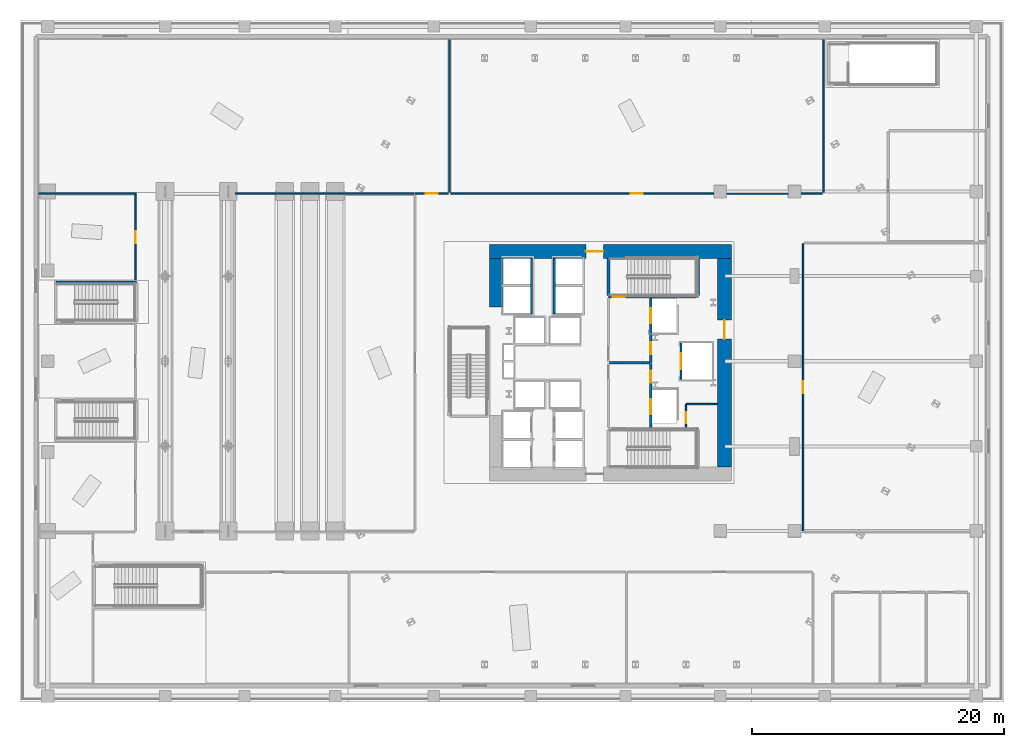
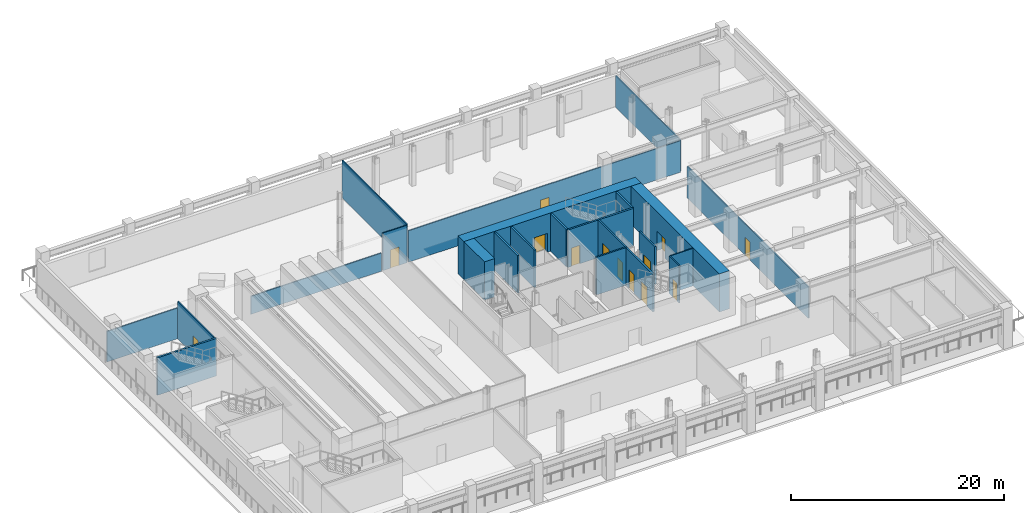
# One storey, part 9 of 24: 23 walls, 13 doors, 13 openings.
"""IFC4 building model written with IfcOpenShell, lengths in metres."""

from ifc_helpers import new_model, si_unit, direction, frame, frame_2d, origin, place, context, subcontext, project, spatial, rectangle, extrude, material, layer, layer_set, type_object, element, fill, save


model = new_model("IFC4")

# Units and contexts
model_context = context("Model", 3, precision=1e-05, world=origin(), true_north=direction((0.0, 1.0)))
body_context = subcontext(model_context, "Body", "Model", "MODEL_VIEW")
ifc_project = project(units=[si_unit("LENGTHUNIT", "METRE"), si_unit("AREAUNIT", "SQUARE_METRE"), si_unit("VOLUMEUNIT", "CUBIC_METRE"), si_unit("PLANEANGLEUNIT", "RADIAN"), si_unit("MASSUNIT", "GRAM", prefix="KILO")], contexts=[model_context])

# Site, building, storey
site_placement = place(None, origin())
site = spatial("IfcSite", under=ifc_project, at=site_placement, CompositionType="ELEMENT")
building_placement = place(site_placement, origin())
building = spatial("IfcBuilding", under=site, at=building_placement, Name="Valkerne Bourse Tower", CompositionType="ELEMENT")
storey_placement = place(building_placement, frame((0.0, 0.0, 19.39990234375)))
storey = spatial("IfcBuildingStorey", under=building, at=storey_placement, Name="L04", CompositionType="ELEMENT", Elevation=19.39990234375)

# Wall, opening, door
ifc_material_1 = material(Name="Concrete C70/85", Category="concrete")
ifc_layer_1 = layer(ifc_material_1, 1.10009765625)
ifc_layer_set_1 = layer_set([ifc_layer_1], Name="Concrete C70/85")
wall_type_1 = type_object("IfcWallType", Name="W-CORE-1100", PredefinedType="SHEAR", material=ifc_layer_set_1)
wall_1_placement = place(storey_placement, frame((37.199951171875, 35.699951171875, 0.0), z_axis=(0.0, 0.0, 1.0), x_axis=(1.0, 0.0, 0.0)))
wall_1 = element("IfcWall", 1, at=wall_1_placement, inside=storey, type_object=wall_type_1, Name="L04 Core Shear Wall NORTH", PredefinedType="SHEAR", context=body_context, shape_type="SweptSolid", body=[
    extrude(rectangle(XDim=19.199951171875, YDim=1.10009765625, at=frame_2d((9.60009765625, 0.0))), origin(), (0.0, 0.0, 1.0), 4.380126953125),
])
opening_1_placement = place(wall_1_placement, frame((7.64990234375, 0.0, 0.0)))
opening_1 = element("IfcOpeningElement", 2, at=opening_1_placement, cuts=wall_1, Name="Opening D-PL-1400", PredefinedType="OPENING", context=body_context, shape_type="SweptSolid", body=[
    extrude(rectangle(XDim=1.39990234375, YDim=2.14990234375, at=frame_2d((0.699951171875, 1.074951171875))), frame((0.0, 0.56005859375, 0.0), z_axis=(0.0, -1.0, 0.0), x_axis=(1.0, 0.0, 0.0)), (0.0, 0.0, 1.0), 1.1201171875),
])
ifc_material_2 = material(Name="Galvanised Painted Steel", Category="steel")
door_type_1 = type_object("IfcDoorType", Name="DR-PLT-1400", OperationType="DOUBLE_DOOR_SINGLE_SWING", PredefinedType="DOOR", material=ifc_material_2)
door_1_placement = place(opening_1_placement, origin())
door_1 = element("IfcDoor", 3, at=door_1_placement, inside=storey, type_object=door_type_1, Name="L04 North Passenger Lift Hall Fire Door", OperationType="DOUBLE_DOOR_SINGLE_SWING", OverallHeight=2.14990234375, OverallWidth=1.39990234375, PredefinedType="DOOR", context=body_context, shape_type="SweptSolid", body=[
    extrude(rectangle(XDim=1.39990234375, YDim=2.14990234375, at=frame_2d((0.699951171875, 1.074951171875))), frame((0.0, 0.02490234375, 0.0), z_axis=(0.0, -1.0, 0.0), x_axis=(1.0, 0.0, 0.0)), (0.0, 0.0, 1.0), 0.050048828125),
])
fill(opening_1, door_1)

wall_2_placement = place(storey_placement, frame((55.85009765625, 18.60009765625, 0.0), z_axis=(0.0, 0.0, 1.0), x_axis=(0.0, 1.0, 0.0)))
wall_2 = element("IfcWall", 4, at=wall_2_placement, inside=storey, type_object=wall_type_1, Name="L04 Core Shear Wall EAST", PredefinedType="SHEAR", context=body_context, shape_type="SweptSolid", body=[
    extrude(rectangle(XDim=16.5498046875, YDim=1.10009765625, at=frame_2d((8.27490234375, 0.0))), origin(), (0.0, 0.0, 1.0), 4.380126953125),
])
opening_2_placement = place(wall_2_placement, frame((10.14990234375, 0.0, 0.0)))
opening_2 = element("IfcOpeningElement", 5, at=opening_2_placement, cuts=wall_2, Name="Opening D-CR-1500", PredefinedType="OPENING", context=body_context, shape_type="SweptSolid", body=[
    extrude(rectangle(XDim=1.5, YDim=2.14990234375, at=frame_2d((0.75, 1.074951171875))), frame((0.0, 0.56005859375, 0.0), z_axis=(0.0, -1.0, 0.0), x_axis=(1.0, 0.0, 0.0)), (0.0, 0.0, 1.0), 1.1201171875),
])
door_type_2 = type_object("IfcDoorType", Name="DR-CORR-1500", OperationType="DOUBLE_DOOR_SINGLE_SWING", PredefinedType="DOOR", material=ifc_material_2)
door_2_placement = place(opening_2_placement, origin())
door_2 = element("IfcDoor", 6, at=door_2_placement, inside=storey, type_object=door_type_2, Name="L04 East Core Service Lobby Fire Door", OperationType="DOUBLE_DOOR_SINGLE_SWING", OverallHeight=2.14990234375, OverallWidth=1.5, PredefinedType="DOOR", context=body_context, shape_type="SweptSolid", body=[
    extrude(rectangle(XDim=1.5, YDim=2.14990234375, at=frame_2d((0.75, 1.074951171875))), frame((0.0, 0.02490234375, 0.0), z_axis=(0.0, -1.0, 0.0), x_axis=(1.0, 0.0, 0.0)), (0.0, 0.0, 1.0), 0.050048828125),
])
fill(opening_2, door_2)

# Wall
wall_3_placement = place(storey_placement, frame((37.75, 31.300048828125, 0.0), z_axis=(0.0, 0.0, 1.0), x_axis=(0.0, 1.0, 0.0)))
element("IfcWall", 7, at=wall_3_placement, inside=storey, type_object=wall_type_1, Name="L04 Core Shear Wall WEST-N", PredefinedType="SHEAR", context=body_context, shape_type="SweptSolid", body=[
    extrude(rectangle(XDim=3.849853515625, YDim=1.10009765625, at=frame_2d((1.9248046875, 0.0))), origin(), (0.0, 0.0, 1.0), 4.380126953125),
])

# Wall, opening, door
ifc_material_3 = material(Name="Gypsum Board Steel-Stud Partition", Category="steel")
ifc_layer_2 = layer(ifc_material_3, 0.117919921875)
ifc_layer_set_2 = layer_set([ifc_layer_2], Name="Gypsum Board Steel-Stud Partition")
wall_type_2 = type_object("IfcWallType", Name="W-CORR-140", PredefinedType="PARTITIONING", material=ifc_layer_set_2)
wall_4_placement = place(storey_placement, frame((52.800048828125, 21.75, 0.0), z_axis=(0.0, 0.0, 1.0), x_axis=(0.0, 1.0, 0.0)))
wall_4 = element("IfcWall", 8, at=wall_4_placement, inside=storey, type_object=wall_type_2, Name="L04 Core SE South-Bay West Wall", PredefinedType="PARTITIONING", context=body_context, shape_type="SweptSolid", body=[
    extrude(rectangle(XDim=1.85009765625, YDim=0.117919921875, at=frame_2d((0.925048828125, 0.0))), origin(), (0.0, 0.0, 1.0), 4.300048828125),
])
opening_3_placement = place(wall_4_placement, frame((0.35009765625, 0.0, 0.0)))
opening_3 = element("IfcOpeningElement", 9, at=opening_3_placement, cuts=wall_4, Name="Opening D-WC-900", PredefinedType="OPENING", context=body_context, shape_type="SweptSolid", body=[
    extrude(rectangle(XDim=0.860107421875, YDim=2.050048828125, at=frame_2d((0.43017578125, 1.02490234375))), frame((0.0, 0.06884765625, 0.0), z_axis=(0.0, -1.0, 0.0), x_axis=(1.0, 0.0, 0.0)), (0.0, 0.0, 1.0), 0.137939453125),
])
ifc_material_4 = material(Name="Architectural White Oak Timber", Category="wood")
door_type_3 = type_object("IfcDoorType", Name="DR-WC-900", OperationType="NOTDEFINED", PredefinedType="DOOR", material=ifc_material_4)
door_3_placement = place(opening_3_placement, origin())
door_3 = element("IfcDoor", 10, at=door_3_placement, inside=storey, type_object=door_type_3, Name="L04 Janitor Store Door", OperationType="SINGLE_SWING_RIGHT", OverallHeight=2.050048828125, OverallWidth=0.860107421875, PredefinedType="DOOR", context=body_context, shape_type="SweptSolid", body=[
    extrude(rectangle(XDim=0.860107421875, YDim=2.050048828125, at=frame_2d((0.43017578125, 1.02490234375))), frame((0.0, 0.02490234375, 0.0), z_axis=(0.0, -1.0, 0.0), x_axis=(1.0, 0.0, 0.0)), (0.0, 0.0, 1.0), 0.050048828125),
])
fill(opening_3, door_3)

# Wall
wall_5_placement = place(storey_placement, frame((52.800048828125, 23.60009765625, 0.0), z_axis=(0.0, 0.0, 1.0), x_axis=(1.0, 0.0, 0.0)))
element("IfcWall", 11, at=wall_5_placement, inside=storey, type_object=wall_type_2, Name="L04 Core SE South-Bay North Wall", PredefinedType="PARTITIONING", context=body_context, shape_type="SweptSolid", body=[
    extrude(rectangle(XDim=2.52001953125, YDim=0.117919921875, at=frame_2d((1.260009765625, 0.0))), origin(), (0.0, 0.0, 1.0), 4.300048828125),
])

# Wall, opening, door
wall_6_placement = place(storey_placement, frame((62.080078125, 13.550048828125, 0.0), z_axis=(0.0, 0.0, 1.0), x_axis=(0.0, 1.0, 0.0)))
wall_6 = element("IfcWall", 12, at=wall_6_placement, inside=storey, type_object=wall_type_2, Name="L04 L04 East Quantitative Analytics Office Wall", PredefinedType="PARTITIONING", context=body_context, shape_type="SweptSolid", body=[
    extrude(rectangle(XDim=22.75, YDim=0.117919921875, at=frame_2d((11.375, 0.0))), origin(), (0.0, 0.0, 1.0), 3.5966796875),
])
opening_4_placement = place(wall_6_placement, frame((10.89990234375, 0.0, 0.0)))
opening_4 = element("IfcOpeningElement", 13, at=opening_4_placement, cuts=wall_6, Name="Opening D-OF-950", PredefinedType="OPENING", context=body_context, shape_type="SweptSolid", body=[
    extrude(rectangle(XDim=0.949951171875, YDim=2.10009765625, at=frame_2d((0.47509765625, 1.050048828125))), frame((0.0, 0.06884765625, 0.0), z_axis=(0.0, -1.0, 0.0), x_axis=(1.0, 0.0, 0.0)), (0.0, 0.0, 1.0), 0.137939453125),
])
door_type_4 = type_object("IfcDoorType", Name="DR-OFF-950", OperationType="NOTDEFINED", PredefinedType="DOOR", material=ifc_material_4)
door_4_placement = place(opening_4_placement, origin())
door_4 = element("IfcDoor", 14, at=door_4_placement, inside=storey, type_object=door_type_4, Name="L04 L04 East Analytics Office Door", OperationType="SINGLE_SWING_LEFT", OverallHeight=2.10009765625, OverallWidth=0.949951171875, PredefinedType="DOOR", context=body_context, shape_type="SweptSolid", body=[
    extrude(rectangle(XDim=0.949951171875, YDim=2.10009765625, at=frame_2d((0.47509765625, 1.050048828125))), frame((0.0, 0.02490234375, 0.0), z_axis=(0.0, -1.0, 0.0), x_axis=(1.0, 0.0, 0.0)), (0.0, 0.0, 1.0), 0.050048828125),
])
fill(opening_4, door_4)

# Walls
wall_7_placement = place(storey_placement, frame((63.679931640625, 40.3798828125, 0.0), z_axis=(0.0, 0.0, 1.0), x_axis=(0.0, 1.0, 0.0)))
element("IfcWall", 15, at=wall_7_placement, inside=storey, type_object=wall_type_2, Name="L04 L04 North Clearing & Margin Office Wall", PredefinedType="PARTITIONING", context=body_context, shape_type="SweptSolid", body=[
    extrude(rectangle(XDim=12.1201171875, YDim=0.117919921875, at=frame_2d((6.06005859375, 0.0))), origin(), (0.0, 0.0, 1.0), 3.5966796875),
])
wall_8_placement = place(storey_placement, frame((34.06005859375, 40.3798828125, 0.0), z_axis=(0.0, 0.0, 1.0), x_axis=(0.0, 1.0, 0.0)))
element("IfcWall", 16, at=wall_8_placement, inside=storey, type_object=wall_type_2, Name="L04 L04 North Clearing & Margin Office Wall", PredefinedType="PARTITIONING", context=body_context, shape_type="SweptSolid", body=[
    extrude(rectangle(XDim=12.1201171875, YDim=0.117919921875, at=frame_2d((6.06005859375, 0.0))), origin(), (0.0, 0.0, 1.0), 4.300048828125),
])

# Wall, opening, door
wall_9_placement = place(storey_placement, frame((34.14990234375, 40.300048828125, 0.0), z_axis=(0.0, 0.0, 1.0), x_axis=(1.0, 0.0, 0.0)))
wall_9 = element("IfcWall", 17, at=wall_9_placement, inside=storey, type_object=wall_type_2, Name="L04 L04 North Clearing & Margin Office Wall", PredefinedType="PARTITIONING", context=body_context, shape_type="SweptSolid", body=[
    extrude(rectangle(XDim=29.4501953125, YDim=0.117919921875, at=frame_2d((14.72509765625, 0.0))), origin(), (0.0, 0.0, 1.0), 3.5966796875),
])
opening_5_placement = place(wall_9_placement, frame((14.25, 0.0, 0.0)))
opening_5 = element("IfcOpeningElement", 18, at=opening_5_placement, cuts=wall_9, Name="Opening D-OF-950", PredefinedType="OPENING", context=body_context, shape_type="SweptSolid", body=[
    extrude(rectangle(XDim=0.949951171875, YDim=2.10009765625, at=frame_2d((0.47509765625, 1.050048828125))), frame((0.0, 0.06884765625, 0.0), z_axis=(0.0, -1.0, 0.0), x_axis=(1.0, 0.0, 0.0)), (0.0, 0.0, 1.0), 0.137939453125),
])
door_5_placement = place(opening_5_placement, origin())
door_5 = element("IfcDoor", 19, at=door_5_placement, inside=storey, type_object=door_type_4, Name="L04 L04 North Clearing Office Door", OperationType="SINGLE_SWING_RIGHT", OverallHeight=2.10009765625, OverallWidth=0.949951171875, PredefinedType="DOOR", context=body_context, shape_type="SweptSolid", body=[
    extrude(rectangle(XDim=0.949951171875, YDim=2.10009765625, at=frame_2d((0.47509765625, 1.050048828125))), frame((0.0, 0.02490234375, 0.0), z_axis=(0.0, -1.0, 0.0), x_axis=(1.0, 0.0, 0.0)), (0.0, 0.0, 1.0), 0.050048828125),
])
fill(opening_5, door_5)

# Walls
wall_10_placement = place(storey_placement, frame((1.5, 40.300048828125, 0.0), z_axis=(0.0, 0.0, 1.0), x_axis=(1.0, 0.0, 0.0)))
element("IfcWall", 20, at=wall_10_placement, inside=storey, type_object=wall_type_2, Name="L04 L04 North-West Derivatives Studio Office Wall", PredefinedType="PARTITIONING", context=body_context, shape_type="SweptSolid", body=[
    extrude(rectangle(XDim=7.719970703125, YDim=0.117919921875, at=frame_2d((3.85986328125, 0.0))), origin(), (0.0, 0.0, 1.0), 3.505126953125),
])
wall_11_placement = place(storey_placement, frame((17.06005859375, 40.300048828125, 0.0), z_axis=(0.0, 0.0, 1.0), x_axis=(1.0, 0.0, 0.0)))
element("IfcWall", 21, at=wall_11_placement, inside=storey, type_object=wall_type_2, Name="L04 L04 North-West Derivatives Studio Office Wall", PredefinedType="PARTITIONING", context=body_context, shape_type="SweptSolid", body=[
    extrude(rectangle(XDim=14.139892578125, YDim=0.117919921875, at=frame_2d((7.06982421875, 0.0))), origin(), (0.0, 0.0, 1.0), 2.065185546875),
])

# Wall, opening, door
wall_12_placement = place(storey_placement, frame((31.35009765625, 40.300048828125, 0.0), z_axis=(0.0, 0.0, 1.0), x_axis=(1.0, 0.0, 0.0)))
wall_12 = element("IfcWall", 22, at=wall_12_placement, inside=storey, type_object=wall_type_2, Name="L04 L04 North-West Derivatives Studio Office Wall", PredefinedType="PARTITIONING", context=body_context, shape_type="SweptSolid", body=[
    extrude(rectangle(XDim=2.599853515625, YDim=0.117919921875, at=frame_2d((1.2998046875, 0.0))), origin(), (0.0, 0.0, 1.0), 4.300048828125),
])
opening_6_placement = place(wall_12_placement, frame((0.824951171875, 0.0, 0.0)))
opening_6 = element("IfcOpeningElement", 23, at=opening_6_placement, cuts=wall_12, Name="Opening D-OF-950", PredefinedType="OPENING", context=body_context, shape_type="SweptSolid", body=[
    extrude(rectangle(XDim=0.949951171875, YDim=2.10009765625, at=frame_2d((0.47509765625, 1.050048828125))), frame((0.0, 0.06884765625, 0.0), z_axis=(0.0, -1.0, 0.0), x_axis=(1.0, 0.0, 0.0)), (0.0, 0.0, 1.0), 0.137939453125),
])
door_6_placement = place(opening_6_placement, origin())
door_6 = element("IfcDoor", 24, at=door_6_placement, inside=storey, type_object=door_type_4, Name="L04 L04 NW Studio Office Door", OperationType="SINGLE_SWING_RIGHT", OverallHeight=2.10009765625, OverallWidth=0.949951171875, PredefinedType="DOOR", context=body_context, shape_type="SweptSolid", body=[
    extrude(rectangle(XDim=0.949951171875, YDim=2.10009765625, at=frame_2d((0.47509765625, 1.050048828125))), frame((0.0, 0.02490234375, 0.0), z_axis=(0.0, -1.0, 0.0), x_axis=(1.0, 0.0, 0.0)), (0.0, 0.0, 1.0), 0.050048828125),
])
fill(opening_6, door_6)

wall_13_placement = place(storey_placement, frame((9.159912109375, 33.449951171875, 0.0), z_axis=(0.0, 0.0, 1.0), x_axis=(0.0, 1.0, 0.0)))
wall_13 = element("IfcWall", 25, at=wall_13_placement, inside=storey, type_object=wall_type_2, Name="L04 L04 North-West Portfolio Office Wall", PredefinedType="PARTITIONING", context=body_context, shape_type="SweptSolid", body=[
    extrude(rectangle(XDim=6.75, YDim=0.117919921875, at=frame_2d((3.375, 0.0))), origin(), (0.0, 0.0, 1.0), 4.300048828125),
])
opening_7_placement = place(wall_13_placement, frame((2.89990234375, 0.0, 0.0)))
opening_7 = element("IfcOpeningElement", 26, at=opening_7_placement, cuts=wall_13, Name="Opening D-OF-950", PredefinedType="OPENING", context=body_context, shape_type="SweptSolid", body=[
    extrude(rectangle(XDim=0.949951171875, YDim=2.10009765625, at=frame_2d((0.47509765625, 1.050048828125))), frame((0.0, 0.06884765625, 0.0), z_axis=(0.0, -1.0, 0.0), x_axis=(1.0, 0.0, 0.0)), (0.0, 0.0, 1.0), 0.137939453125),
])
door_7_placement = place(opening_7_placement, origin())
door_7 = element("IfcDoor", 27, at=door_7_placement, inside=storey, type_object=door_type_4, Name="L04 L04 NW Portfolio Office Door", OperationType="SINGLE_SWING_RIGHT", OverallHeight=2.10009765625, OverallWidth=0.949951171875, PredefinedType="DOOR", context=body_context, shape_type="SweptSolid", body=[
    extrude(rectangle(XDim=0.949951171875, YDim=2.10009765625, at=frame_2d((0.47509765625, 1.050048828125))), frame((0.0, 0.02490234375, 0.0), z_axis=(0.0, -1.0, 0.0), x_axis=(1.0, 0.0, 0.0)), (0.0, 0.0, 1.0), 0.050048828125),
])
fill(opening_7, door_7)

# Wall
ifc_material_5 = material(Name="Gypsum Fire-Rated Shaftwall", Category="gypsum")
ifc_layer_3 = layer(ifc_material_5, 0.179931640625)
ifc_layer_set_3 = layer_set([ifc_layer_3], Name="Gypsum Fire-Rated Shaftwall")
wall_type_3 = type_object("IfcWallType", Name="W-FSAE-180", PredefinedType="PARTITIONING", material=ifc_layer_set_3)
wall_14_placement = place(storey_placement, frame((46.739990234375, 26.8798828125, 0.0), z_axis=(0.0, 0.0, 1.0), x_axis=(1.0, 0.0, 0.0)))
element("IfcWall", 28, at=wall_14_placement, inside=storey, type_object=wall_type_3, Name="L04 FSAE-1/2 Lobby Dividing Fire Wall", PredefinedType="PARTITIONING", context=body_context, shape_type="SweptSolid", body=[
    extrude(rectangle(XDim=3.169921875, YDim=0.179931640625, at=frame_2d((1.5849609375, 0.0))), origin(), (0.0, 0.0, 1.0), 4.300048828125),
])

# Wall, openings, doors
wall_15_placement = place(storey_placement, frame((50.0, 21.75, 0.0), z_axis=(0.0, 0.0, 1.0), x_axis=(0.0, 1.0, 0.0)))
wall_15 = element("IfcWall", 29, at=wall_15_placement, inside=storey, type_object=wall_type_3, Name="L04 FSAE-1 Lobby & Shaft Front Wall", PredefinedType="PARTITIONING", context=body_context, shape_type="SweptSolid", body=[
    extrude(rectangle(XDim=5.090087890625, YDim=0.179931640625, at=frame_2d((2.544921875, 0.0))), origin(), (0.0, 0.0, 1.0), 4.300048828125),
])
opening_8_placement = place(wall_15_placement, frame((1.050048828125, 0.0, 0.0)))
opening_8 = element("IfcOpeningElement", 30, at=opening_8_placement, cuts=wall_15, Name="Opening LD-1200", PredefinedType="OPENING", context=body_context, shape_type="SweptSolid", body=[
    extrude(rectangle(XDim=1.199951171875, YDim=2.14990234375, at=frame_2d((0.60009765625, 1.074951171875))), frame((0.0, 0.099853515625, 0.0), z_axis=(0.0, -1.0, 0.0), x_axis=(1.0, 0.0, 0.0)), (0.0, 0.0, 1.0), 0.199951171875),
])
opening_9_placement = place(wall_15_placement, frame((3.550048828125, 0.0, 0.0)))
opening_9 = element("IfcOpeningElement", 31, at=opening_9_placement, cuts=wall_15, Name="Opening D-FS-950", PredefinedType="OPENING", context=body_context, shape_type="SweptSolid", body=[
    extrude(rectangle(XDim=0.949951171875, YDim=2.10009765625, at=frame_2d((0.47509765625, 1.050048828125))), frame((0.0, 0.099853515625, 0.0), z_axis=(0.0, -1.0, 0.0), x_axis=(1.0, 0.0, 0.0)), (0.0, 0.0, 1.0), 0.199951171875),
])
door_type_5 = type_object("IfcDoorType", Name="DR-FSAE-950", OperationType="NOTDEFINED", PredefinedType="DOOR", material=ifc_material_2)
door_8_placement = place(opening_9_placement, origin())
door_8 = element("IfcDoor", 32, at=door_8_placement, inside=storey, type_object=door_type_5, Name="L04 FSAE-1 Lobby Corridor Fire Door", OperationType="SINGLE_SWING_RIGHT", OverallHeight=2.10009765625, OverallWidth=0.949951171875, PredefinedType="DOOR", context=body_context, shape_type="SweptSolid", body=[
    extrude(rectangle(XDim=0.949951171875, YDim=2.10009765625, at=frame_2d((0.47509765625, 1.050048828125))), frame((0.0, 0.02490234375, 0.0), z_axis=(0.0, -1.0, 0.0), x_axis=(1.0, 0.0, 0.0)), (0.0, 0.0, 1.0), 0.050048828125),
])
fill(opening_9, door_8)
ifc_material_6 = material(Name="Stainless Steel AISI 316", Category="steel")
door_type_6 = type_object("IfcDoorType", Name="DR-LIFT-1200", OperationType="DOUBLE_DOOR_SLIDING", PredefinedType="DOOR", material=ifc_material_6)
door_9_placement = place(opening_8_placement, origin())
door_9 = element("IfcDoor", 33, at=door_9_placement, inside=storey, type_object=door_type_6, Name="L04 FSAE-1 Firefighting Lift Landing Door", OperationType="DOUBLE_DOOR_SLIDING", OverallHeight=2.14990234375, OverallWidth=1.199951171875, PredefinedType="DOOR", context=body_context, shape_type="SweptSolid", body=[
    extrude(rectangle(XDim=1.199951171875, YDim=2.14990234375, at=frame_2d((0.60009765625, 1.074951171875))), frame((0.0, 0.02490234375, 0.0), z_axis=(0.0, -1.0, 0.0), x_axis=(1.0, 0.0, 0.0)), (0.0, 0.0, 1.0), 0.050048828125),
])
fill(opening_8, door_9)

wall_16_placement = place(storey_placement, frame((50.0, 26.919921875, 0.0), z_axis=(0.0, 0.0, 1.0), x_axis=(0.0, 1.0, 0.0)))
wall_16 = element("IfcWall", 34, at=wall_16_placement, inside=storey, type_object=wall_type_3, Name="L04 FSAE-2 Lobby & Shaft Front Wall", PredefinedType="PARTITIONING", context=body_context, shape_type="SweptSolid", body=[
    extrude(rectangle(XDim=5.080078125, YDim=0.179931640625, at=frame_2d((2.5400390625, 0.0))), origin(), (0.0, 0.0, 1.0), 4.300048828125),
])
opening_10_placement = place(wall_16_placement, frame((3.080078125, 0.0, 0.0)))
opening_10 = element("IfcOpeningElement", 35, at=opening_10_placement, cuts=wall_16, Name="Opening LD-1200", PredefinedType="OPENING", context=body_context, shape_type="SweptSolid", body=[
    extrude(rectangle(XDim=1.199951171875, YDim=2.14990234375, at=frame_2d((0.60009765625, 1.074951171875))), frame((0.0, 0.099853515625, 0.0), z_axis=(0.0, -1.0, 0.0), x_axis=(1.0, 0.0, 0.0)), (0.0, 0.0, 1.0), 0.199951171875),
])
opening_11_placement = place(wall_16_placement, frame((0.6298828125, 0.0, 0.0)))
opening_11 = element("IfcOpeningElement", 36, at=opening_11_placement, cuts=wall_16, Name="Opening D-FS-950", PredefinedType="OPENING", context=body_context, shape_type="SweptSolid", body=[
    extrude(rectangle(XDim=0.949951171875, YDim=2.10009765625, at=frame_2d((0.47509765625, 1.050048828125))), frame((0.0, 0.099853515625, 0.0), z_axis=(0.0, -1.0, 0.0), x_axis=(1.0, 0.0, 0.0)), (0.0, 0.0, 1.0), 0.199951171875),
])
door_10_placement = place(opening_11_placement, origin())
door_10 = element("IfcDoor", 37, at=door_10_placement, inside=storey, type_object=door_type_5, Name="L04 FSAE-2 Lobby Corridor Fire Door", OperationType="SINGLE_SWING_RIGHT", OverallHeight=2.10009765625, OverallWidth=0.949951171875, PredefinedType="DOOR", context=body_context, shape_type="SweptSolid", body=[
    extrude(rectangle(XDim=0.949951171875, YDim=2.10009765625, at=frame_2d((0.47509765625, 1.050048828125))), frame((0.0, 0.02490234375, 0.0), z_axis=(0.0, -1.0, 0.0), x_axis=(1.0, 0.0, 0.0)), (0.0, 0.0, 1.0), 0.050048828125),
])
fill(opening_11, door_10)
door_11_placement = place(opening_10_placement, origin())
door_11 = element("IfcDoor", 38, at=door_11_placement, inside=storey, type_object=door_type_6, Name="L04 FSAE-2 Firefighting Lift Landing Door", OperationType="DOUBLE_DOOR_SLIDING", OverallHeight=2.14990234375, OverallWidth=1.199951171875, PredefinedType="DOOR", context=body_context, shape_type="SweptSolid", body=[
    extrude(rectangle(XDim=1.199951171875, YDim=2.14990234375, at=frame_2d((0.60009765625, 1.074951171875))), frame((0.0, 0.02490234375, 0.0), z_axis=(0.0, -1.0, 0.0), x_axis=(1.0, 0.0, 0.0)), (0.0, 0.0, 1.0), 0.050048828125),
])
fill(opening_10, door_11)

# Wall, opening, door
ifc_material_7 = material(Name="CMU Blockwork Masonry 200mm", Category="masonry")
ifc_layer_4 = layer(ifc_material_7, 0.179931640625)
ifc_layer_set_4 = layer_set([ifc_layer_4], Name="CMU Blockwork Masonry 200mm")
wall_type_4 = type_object("IfcWallType", Name="W-LFT-180", PredefinedType="SOLIDWALL", material=ifc_layer_set_4)
wall_17_placement = place(storey_placement, frame((52.39990234375, 25.550048828125, 0.0), z_axis=(0.0, 0.0, 1.0), x_axis=(0.0, 1.0, 0.0)))
wall_17 = element("IfcWall", 39, at=wall_17_placement, inside=storey, type_object=wall_type_4, Name="L04 Service Lift SV-1 Front Wall", PredefinedType="SOLIDWALL", context=body_context, shape_type="SweptSolid", body=[
    extrude(rectangle(XDim=2.89990234375, YDim=0.179931640625, at=frame_2d((1.449951171875, 0.0))), origin(), (0.0, 0.0, 1.0), 4.300048828125),
])
opening_12_placement = place(wall_17_placement, frame((0.800048828125, 0.0, 0.0)))
opening_12 = element("IfcOpeningElement", 40, at=opening_12_placement, cuts=wall_17, Name="Opening LD-1300", PredefinedType="OPENING", context=body_context, shape_type="SweptSolid", body=[
    extrude(rectangle(XDim=1.300048828125, YDim=2.14990234375, at=frame_2d((0.64990234375, 1.074951171875))), frame((0.0, 0.099853515625, 0.0), z_axis=(0.0, -1.0, 0.0), x_axis=(1.0, 0.0, 0.0)), (0.0, 0.0, 1.0), 0.199951171875),
])
door_type_7 = type_object("IfcDoorType", Name="DR-LIFT-1300", OperationType="DOUBLE_DOOR_SLIDING", PredefinedType="DOOR", material=ifc_material_6)
door_12_placement = place(opening_12_placement, origin())
door_12 = element("IfcDoor", 41, at=door_12_placement, inside=storey, type_object=door_type_7, Name="L04 Service Lift SV-1 Landing Door", OperationType="DOUBLE_DOOR_SLIDING", OverallHeight=2.14990234375, OverallWidth=1.300048828125, PredefinedType="DOOR", context=body_context, shape_type="SweptSolid", body=[
    extrude(rectangle(XDim=1.300048828125, YDim=2.14990234375, at=frame_2d((0.64990234375, 1.074951171875))), frame((0.0, 0.02490234375, 0.0), z_axis=(0.0, -1.0, 0.0), x_axis=(1.0, 0.0, 0.0)), (0.0, 0.0, 1.0), 0.050048828125),
])
fill(opening_12, door_12)

# Walls
for number, where, z_axis, x_axis, name in (
    (42, (40.550048828125, 30.75, 0.0), (0.0, 0.0, 1.0), (0.0, 1.0, 0.0), "L04 Mid-Zone West Cars Front Wall"),
    (43, (42.35009765625, 30.75, 0.0), (0.0, 0.0, 1.0), (0.0, 1.0, 0.0), "L04 Mid-Zone East Cars Front Wall"),
):
    element("IfcWall", number, at=place(storey_placement, frame(where, z_axis=z_axis, x_axis=x_axis)), inside=storey, type_object=wall_type_4, Name=name, PredefinedType="SOLIDWALL", context=body_context, shape_type="SweptSolid", body=[
        extrude(rectangle(XDim=4.39990234375, YDim=0.179931640625, at=frame_2d((2.199951171875, 0.0))), origin(), (0.0, 0.0, 1.0), 4.300048828125),
    ])

# Wall, opening, door
ifc_material_8 = material(Name="Concrete C40/50", Category="concrete")
ifc_layer_5 = layer(ifc_material_8, 0.199951171875)
ifc_layer_set_5 = layer_set([ifc_layer_5], Name="Concrete C40/50")
wall_type_5 = type_object("IfcWallType", Name="W-SHF-200", PredefinedType="SHEAR", material=ifc_layer_set_5)
wall_18_placement = place(storey_placement, frame((46.64990234375, 32.10009765625, 0.0), z_axis=(0.0, 0.0, 1.0), x_axis=(1.0, 0.0, 0.0)))
wall_18 = element("IfcWall", 44, at=wall_18_placement, inside=storey, type_object=wall_type_5, Name="L04 Exit Stair ST-2 Structural Shaft Wall South", PredefinedType="SHEAR", context=body_context, shape_type="SweptSolid", body=[
    extrude(rectangle(XDim=7.10009765625, YDim=0.199951171875, at=frame_2d((3.550048828125, 0.0))), origin(), (0.0, 0.0, 1.0), 4.300048828125),
])
opening_13_placement = place(wall_18_placement, frame((0.35009765625, 0.0, 0.0)))
opening_13 = element("IfcOpeningElement", 45, at=opening_13_placement, cuts=wall_18, Name="Opening D-ST-950", PredefinedType="OPENING", context=body_context, shape_type="SweptSolid", body=[
    extrude(rectangle(XDim=0.949951171875, YDim=2.10009765625, at=frame_2d((0.47509765625, 1.050048828125))), frame((0.0, 0.10986328125, 0.0), z_axis=(0.0, -1.0, 0.0), x_axis=(1.0, 0.0, 0.0)), (0.0, 0.0, 1.0), 0.219970703125),
])
door_type_8 = type_object("IfcDoorType", Name="DR-STAIR-950", OperationType="NOTDEFINED", PredefinedType="DOOR", material=ifc_material_2)
door_13_placement = place(opening_13_placement, origin())
door_13 = element("IfcDoor", 46, at=door_13_placement, inside=storey, type_object=door_type_8, Name="L04 Exit Stair ST-2 Door", OperationType="SINGLE_SWING_LEFT", OverallHeight=2.10009765625, OverallWidth=0.949951171875, PredefinedType="DOOR", context=body_context, shape_type="SweptSolid", body=[
    extrude(rectangle(XDim=0.949951171875, YDim=2.10009765625, at=frame_2d((0.47509765625, 1.050048828125))), frame((0.0, 0.02490234375, 0.0), z_axis=(0.0, -1.0, 0.0), x_axis=(1.0, 0.0, 0.0)), (0.0, 0.0, 1.0), 0.050048828125),
])
fill(opening_13, door_13)

# Walls
for number, where, z_axis, x_axis, name in (
    (47, (46.64990234375, 32.199951171875, 0.0), (0.0, 0.0, 1.0), (0.0, 1.0, 0.0), "L04 Exit Stair ST-2 Structural Shaft Wall West"),
    (48, (53.75, 32.199951171875, 0.0), (0.0, 0.0, 1.0), (0.0, 1.0, 0.0), "L04 Exit Stair ST-2 Structural Shaft Wall East"),
):
    element("IfcWall", number, at=place(storey_placement, frame(where, z_axis=z_axis, x_axis=x_axis)), inside=storey, type_object=wall_type_5, Name=name, PredefinedType="SHEAR", context=body_context, shape_type="SweptSolid", body=[
        extrude(rectangle(XDim=2.949951171875, YDim=0.199951171875, at=frame_2d((1.47509765625, 0.0))), origin(), (0.0, 0.0, 1.0), 4.300048828125),
    ])
wall_19_placement = place(storey_placement, frame((2.85009765625, 33.25, 0.0), z_axis=(0.0, 0.0, 1.0), x_axis=(1.0, 0.0, 0.0)))
element("IfcWall", 49, at=wall_19_placement, inside=storey, type_object=wall_type_5, Name="L04 Exit Stair ST-G2 Structural North Wall", PredefinedType="SHEAR", context=body_context, shape_type="SweptSolid", body=[
    extrude(rectangle(XDim=6.39990234375, YDim=0.199951171875, at=frame_2d((3.199951171875, 0.0))), origin(), (0.0, 0.0, 1.0), 4.300048828125),
])

save(model, "model.ifc")
